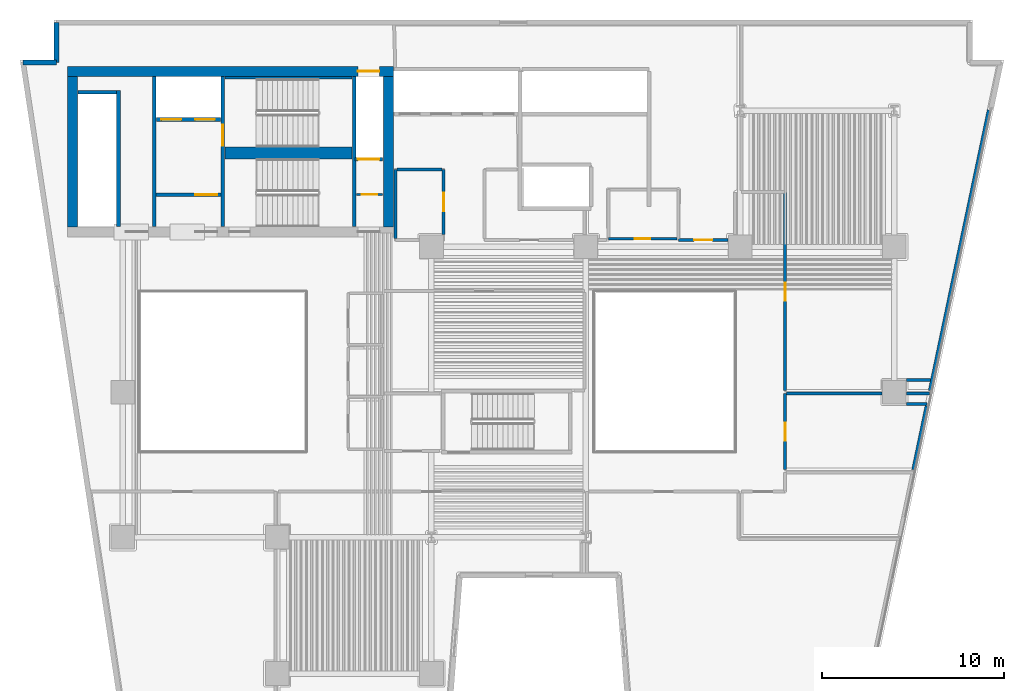
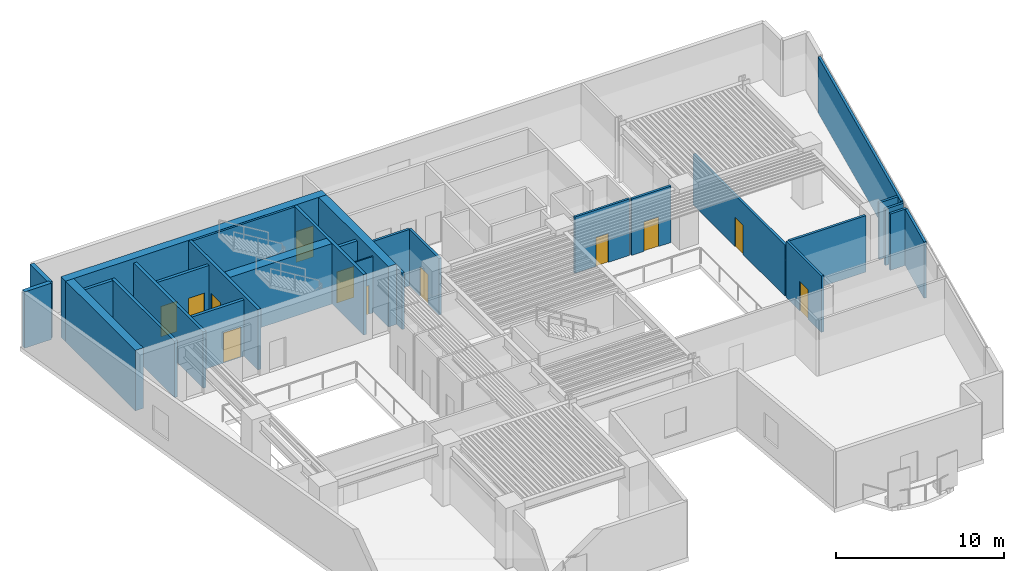
# One storey, part 5 of 12: 29 walls, 12 doors, 12 openings.
"""IFC4 building model written with IfcOpenShell, lengths in metres."""

from ifc_helpers import new_model, si_unit, direction, frame, frame_2d, origin, place, context, subcontext, project, spatial, rectangle, extrude, material, layer, layer_set, type_object, element, fill, save


model = new_model("IFC4")

# Units and contexts
model_context = context("Model", 3, precision=1e-05, world=origin(), true_north=direction((0.0, 1.0)))
body_context = subcontext(model_context, "Body", "Model", "MODEL_VIEW")
ifc_project = project(units=[si_unit("LENGTHUNIT", "METRE"), si_unit("AREAUNIT", "SQUARE_METRE"), si_unit("VOLUMEUNIT", "CUBIC_METRE"), si_unit("PLANEANGLEUNIT", "RADIAN"), si_unit("MASSUNIT", "GRAM", prefix="KILO")], contexts=[model_context])

# Site, building, storey
site_placement = place(None, origin())
site = spatial("IfcSite", under=ifc_project, at=site_placement, CompositionType="ELEMENT")
building_placement = place(site_placement, origin())
building = spatial("IfcBuilding", under=site, at=building_placement, Name="Caeloran Harvest Quay", CompositionType="ELEMENT")
storey_placement = place(building_placement, frame((0.0, 0.0, 35.800048828125)))
storey = spatial("IfcBuildingStorey", under=building, at=storey_placement, Name="L08", CompositionType="ELEMENT", Elevation=35.800048828125)

# Walls
ifc_material_1 = material(Name="Precast concrete C50/60", Category="concrete")
ifc_layer_1 = layer(ifc_material_1, 0.280029296875, Name="Precast concrete C50/60")
ifc_layer_set_1 = layer_set([ifc_layer_1], Name="Precast concrete C50/60")
wall_type_1 = type_object("IfcWallType", Name="ENV-WALL-EW-280", PredefinedType="STANDARD", material=ifc_layer_set_1)
wall_1_placement = place(storey_placement, frame((2.99755859375, 41.159912109375, 0.0), z_axis=(0.0, 0.0, 1.0), x_axis=(1.0, 0.0, 0.0)))
element("IfcWall", 1, at=wall_1_placement, inside=storey, type_object=wall_type_1, Name="L08 Exterior Precast Concrete Facade Wall 4", PredefinedType="STANDARD", context=body_context, shape_type="SweptSolid", body=[
    extrude(rectangle(XDim=1.842529296875, YDim=0.280029296875, at=frame_2d((0.92138671875, 0.0))), origin(), (0.0, 0.0, 1.0), 4.099853515625),
])
wall_2_placement = place(storey_placement, frame((4.840087890625, 41.159912109375, 0.0), z_axis=(0.0, 0.0, 1.0), x_axis=(0.0, 1.0, 0.0)))
element("IfcWall", 2, at=wall_2_placement, inside=storey, type_object=wall_type_1, Name="L08 Exterior Precast Concrete Facade Wall 5", PredefinedType="STANDARD", context=body_context, shape_type="SweptSolid", body=[
    extrude(rectangle(XDim=2.2001953125, YDim=0.280029296875, at=frame_2d((1.10009765625, 0.0))), origin(), (0.0, 0.0, 1.0), 4.099853515625),
])

# Wall, opening, door
ifc_material_2 = material(Name="Fire-Resisting Gypsum Core Riser Partition", Category="gypsum")
ifc_layer_2 = layer(ifc_material_2, 0.10009765625, Name="Fire-Resisting Gypsum Core Riser Partition")
ifc_layer_set_2 = layer_set([ifc_layer_2], Name="Fire-Resisting Gypsum Core Riser Partition")
wall_type_2 = type_object("IfcWallType", Name="INT-WALL-PW-100", PredefinedType="PARTITIONING", material=ifc_layer_set_2)
wall_3_placement = place(storey_placement, frame((21.3798828125, 33.889892578125, 0.0), z_axis=(0.0, 0.0, 1.0), x_axis=(1.0, 0.0, 0.0)))
wall_3 = element("IfcWall", 3, at=wall_3_placement, inside=storey, type_object=wall_type_2, Name="L08 Cleaner Store Partition Wall", PredefinedType="PARTITIONING", context=body_context, shape_type="SweptSolid", body=[
    extrude(rectangle(XDim=1.420166015625, YDim=0.10009765625, at=frame_2d((0.7099609375, 0.0))), origin(), (0.0, 0.0, 1.0), 4.099853515625),
])
opening_1_placement = place(wall_3_placement, frame((0.280029296875, 0.0, 0.0)))
opening_1 = element("IfcOpeningElement", 4, at=opening_1_placement, cuts=wall_3, Name="Opening SV-01", PredefinedType="OPENING", context=body_context, shape_type="SweptSolid", body=[
    extrude(rectangle(XDim=0.85009765625, YDim=2.10009765625, at=frame_2d((0.425048828125, 1.050048828125))), frame((0.0, 0.06005859375, 0.0), z_axis=(0.0, -1.0, 0.0), x_axis=(1.0, 0.0, 0.0)), (0.0, 0.0, 1.0), 0.1201171875),
])
ifc_material_3 = material(Name="Galvanized Painted Steel", Category="steel")
door_type_1 = type_object("IfcDoorType", Name="INTDOOR-SV-01", OperationType="NOTDEFINED", PredefinedType="DOOR", material=ifc_material_3)
door_1_placement = place(opening_1_placement, origin())
door_1 = element("IfcDoor", 5, at=door_1_placement, inside=storey, type_object=door_type_1, Name="L08 Cleaner Supply Store Access Door", OperationType="SINGLE_SWING_RIGHT", OverallHeight=2.10009765625, OverallWidth=0.85009765625, PredefinedType="DOOR", context=body_context, shape_type="SweptSolid", body=[
    extrude(rectangle(XDim=0.85009765625, YDim=2.10009765625, at=frame_2d((0.425048828125, 1.050048828125))), frame((0.0, 0.02490234375, 0.0), z_axis=(0.0, -1.0, 0.0), x_axis=(1.0, 0.0, 0.0)), (0.0, 0.0, 1.0), 0.050048828125),
])
fill(opening_1, door_1)

ifc_material_4 = material(Name="Autoclaved Aerated Concrete Blockwork and Plasterboard", Category="masonry")
ifc_layer_3 = layer(ifc_material_4, 0.14990234375, Name="Autoclaved Aerated Concrete Blockwork and Plasterboard")
ifc_layer_set_3 = layer_set([ifc_layer_3], Name="Autoclaved Aerated Concrete Blockwork and Plasterboard")
wall_type_3 = type_object("IfcWallType", Name="INT-WALL-PW-150", PredefinedType="PARTITIONING", material=ifc_layer_set_3)
wall_4_placement = place(storey_placement, frame((39.02001953125, 31.449951171875, 0.0), z_axis=(0.0, 0.0, 1.0), x_axis=(-1.0, 0.0, 0.0)))
wall_4 = element("IfcWall", 6, at=wall_4_placement, inside=storey, type_object=wall_type_3, Name="L08 Core Auxiliary Equipment Room Partition Wall", PredefinedType="PARTITIONING", context=body_context, shape_type="SweptSolid", body=[
    extrude(rectangle(XDim=3.77001953125, YDim=0.14990234375, at=frame_2d((1.885009765625, 0.0))), origin(), (0.0, 0.0, 1.0), 4.099853515625),
])
opening_2_placement = place(wall_4_placement, frame((1.4599609375, 0.0, 0.0)))
opening_2 = element("IfcOpeningElement", 7, at=opening_2_placement, cuts=wall_4, Name="Opening SV-01", PredefinedType="OPENING", context=body_context, shape_type="SweptSolid", body=[
    extrude(rectangle(XDim=0.85009765625, YDim=2.10009765625, at=frame_2d((0.425048828125, 1.050048828125))), frame((0.0, 0.0849609375, 0.0), z_axis=(0.0, -1.0, 0.0), x_axis=(1.0, 0.0, 0.0)), (0.0, 0.0, 1.0), 0.169921875),
])
door_2_placement = place(opening_2_placement, origin())
door_2 = element("IfcDoor", 8, at=door_2_placement, inside=storey, type_object=door_type_1, Name="L08 Core Auxiliary Equipment Room Access Door", OperationType="SINGLE_SWING_RIGHT", OverallHeight=2.10009765625, OverallWidth=0.85009765625, PredefinedType="DOOR", context=body_context, shape_type="SweptSolid", body=[
    extrude(rectangle(XDim=0.85009765625, YDim=2.10009765625, at=frame_2d((0.425048828125, 1.050048828125))), frame((0.0, 0.02490234375, 0.0), z_axis=(0.0, -1.0, 0.0), x_axis=(1.0, 0.0, 0.0)), (0.0, 0.0, 1.0), 0.050048828125),
])
fill(opening_2, door_2)

ifc_material_5 = material(Name="Autoclaved Aerated Concrete Blockwork", Category="masonry")
ifc_layer_4 = layer(ifc_material_5, 0.1650390625, Name="Autoclaved Aerated Concrete Blockwork")
ifc_layer_set_4 = layer_set([ifc_layer_4], Name="Autoclaved Aerated Concrete Blockwork")
wall_type_4 = type_object("IfcWallType", Name="INT-WALL-PW-165", PredefinedType="PARTITIONING", material=ifc_layer_set_4)
wall_5_placement = place(storey_placement, frame((44.97998046875, 18.72998046875, 0.0), z_axis=(0.0, 0.0, 1.0), x_axis=(0.0, 1.0, 0.0)))
wall_5 = element("IfcWall", 9, at=wall_5_placement, inside=storey, type_object=wall_type_4, Name="Harvest Cold Buffer Laboratory Partition Wall", PredefinedType="PARTITIONING", context=body_context, shape_type="SweptSolid", body=[
    extrude(rectangle(XDim=4.18994140625, YDim=0.1650390625, at=frame_2d((2.094970703125, 0.0))), origin(), (0.0, 0.0, 1.0), 4.099853515625),
])
opening_3_placement = place(wall_5_placement, frame((1.594970703125, 0.0, 0.0)))
opening_3 = element("IfcOpeningElement", 10, at=opening_3_placement, cuts=wall_5, Name="Opening ID-01", PredefinedType="OPENING", context=body_context, shape_type="SweptSolid", body=[
    extrude(rectangle(XDim=1.0, YDim=2.14990234375, at=frame_2d((0.5, 1.074951171875))), frame((0.0, 0.092529296875, 0.0), z_axis=(0.0, -1.0, 0.0), x_axis=(1.0, 0.0, 0.0)), (0.0, 0.0, 1.0), 0.18505859375),
])
ifc_material_6 = material(Name="FSC Solid-Core Ash Timber and Acoustic Seal", Category="wood")
door_type_2 = type_object("IfcDoorType", Name="INTDOOR-ID-01", OperationType="NOTDEFINED", PredefinedType="DOOR", material=ifc_material_6)
door_3_placement = place(opening_3_placement, origin())
door_3 = element("IfcDoor", 11, at=door_3_placement, inside=storey, type_object=door_type_2, Name="Harvest Cold Buffer Laboratory Access Door", OperationType="SINGLE_SWING_RIGHT", OverallHeight=2.14990234375, OverallWidth=1.0, PredefinedType="DOOR", context=body_context, shape_type="SweptSolid", body=[
    extrude(rectangle(XDim=1.0, YDim=2.14990234375, at=frame_2d((0.5, 1.074951171875))), frame((0.0, 0.02490234375, 0.0), z_axis=(0.0, -1.0, 0.0), x_axis=(1.0, 0.0, 0.0)), (0.0, 0.0, 1.0), 0.050048828125),
])
fill(opening_3, door_3)

# Walls
wall_6_placement = place(storey_placement, frame((45.0673828125, 22.919921875, 0.0), z_axis=(0.0, 0.0, 1.0), x_axis=(1.0, 0.0, 0.0)))
element("IfcWall", 12, at=wall_6_placement, inside=storey, type_object=wall_type_4, Name="Harvest Cold Buffer Laboratory Partition Wall", PredefinedType="PARTITIONING", context=body_context, shape_type="SweptSolid", body=[
    extrude(rectangle(XDim=5.257568359375, YDim=0.1650390625, at=frame_2d((2.62890625, 0.0))), origin(), (0.0, 0.0, 1.0), 4.099853515625),
])
wall_7_placement = place(storey_placement, frame((51.675048828125, 22.3349609375, 0.0), z_axis=(0.0, 0.0, 1.0), x_axis=(1.0, 0.0, 0.0)))
element("IfcWall", 13, at=wall_7_placement, inside=storey, type_object=wall_type_4, Name="Harvest Cold Buffer Laboratory Partition Wall", PredefinedType="PARTITIONING", context=body_context, shape_type="SweptSolid", body=[
    extrude(rectangle(XDim=1.12841796875, YDim=0.1650390625, at=frame_2d((0.564208984375, 0.0))), origin(), (0.0, 0.0, 1.0), 4.099853515625),
])
wall_8_placement = place(storey_placement, frame((51.675048828125, 22.919921875, 0.0), z_axis=(0.0, 0.0, 1.0), x_axis=(1.0, 0.0, 0.0)))
element("IfcWall", 14, at=wall_8_placement, inside=storey, type_object=wall_type_4, Name="Harvest Cold Buffer Laboratory Partition Wall", PredefinedType="PARTITIONING", context=body_context, shape_type="SweptSolid", body=[
    extrude(rectangle(XDim=1.25146484375, YDim=0.1650390625, at=frame_2d((0.625732421875, 0.0))), origin(), (0.0, 0.0, 1.0), 4.099853515625),
])
wall_9_placement = place(storey_placement, frame((52.769775390625, 22.24755859375, 0.0), z_axis=(0.0, 0.0, 1.0), x_axis=(-0.205538051866, -0.978649124679, 0.0)))
element("IfcWall", 15, at=wall_9_placement, inside=storey, type_object=wall_type_4, Name="Harvest Cold Buffer Laboratory Partition Wall", PredefinedType="PARTITIONING", context=body_context, shape_type="SweptSolid", body=[
    extrude(rectangle(XDim=3.59423828125, YDim=0.1650390625, at=frame_2d((1.797119140625, 0.0))), origin(), (0.0, 0.0, 1.0), 4.099853515625),
])

# Wall, opening, door
wall_10_placement = place(storey_placement, frame((26.169921875, 35.27001953125, 0.0), z_axis=(0.0, 0.0, 1.0), x_axis=(0.0, -1.0, 0.0)))
wall_10 = element("IfcWall", 16, at=wall_10_placement, inside=storey, type_object=wall_type_4, Name="Leafy-Greens Hydroponic Growing Hall 9 Partition Wall", PredefinedType="PARTITIONING", context=body_context, shape_type="SweptSolid", body=[
    extrude(rectangle(XDim=3.594970703125, YDim=0.1650390625, at=frame_2d((1.79736328125, 0.0))), origin(), (0.0, 0.0, 1.0), 4.099853515625),
])
opening_4_placement = place(wall_10_placement, frame((1.297607421875, 0.0, 0.0)))
opening_4 = element("IfcOpeningElement", 17, at=opening_4_placement, cuts=wall_10, Name="Opening ID-01", PredefinedType="OPENING", context=body_context, shape_type="SweptSolid", body=[
    extrude(rectangle(XDim=1.0, YDim=2.14990234375, at=frame_2d((0.5, 1.074951171875))), frame((0.0, 0.092529296875, 0.0), z_axis=(0.0, -1.0, 0.0), x_axis=(1.0, 0.0, 0.0)), (0.0, 0.0, 1.0), 0.18505859375),
])
door_4_placement = place(opening_4_placement, origin())
door_4 = element("IfcDoor", 18, at=door_4_placement, inside=storey, type_object=door_type_2, Name="Leafy-Greens Hydroponic Growing Hall 9 Access Door", OperationType="SINGLE_SWING_LEFT", OverallHeight=2.14990234375, OverallWidth=1.0, PredefinedType="DOOR", context=body_context, shape_type="SweptSolid", body=[
    extrude(rectangle(XDim=1.0, YDim=2.14990234375, at=frame_2d((0.5, 1.074951171875))), frame((0.0, 0.02490234375, 0.0), z_axis=(0.0, -1.0, 0.0), x_axis=(1.0, 0.0, 0.0)), (0.0, 0.0, 1.0), 0.050048828125),
])
fill(opening_4, door_4)

# Walls
wall_11_placement = place(storey_placement, frame((23.510009765625, 31.467529296875, 0.0), z_axis=(0.0, 0.0, 1.0), x_axis=(0.0, 1.0, 0.0)))
element("IfcWall", 19, at=wall_11_placement, inside=storey, type_object=wall_type_4, Name="Leafy-Greens Hydroponic Growing Hall 9 Partition Wall", PredefinedType="PARTITIONING", context=body_context, shape_type="SweptSolid", body=[
    extrude(rectangle(XDim=3.804443359375, YDim=0.1650390625, at=frame_2d((1.90234375, 0.0))), origin(), (0.0, 0.0, 1.0), 4.099853515625),
])
wall_12_placement = place(storey_placement, frame((23.597412109375, 35.27001953125, 0.0), z_axis=(0.0, 0.0, 1.0), x_axis=(1.0, 0.0, 0.0)))
element("IfcWall", 20, at=wall_12_placement, inside=storey, type_object=wall_type_4, Name="Leafy-Greens Hydroponic Growing Hall 9 Partition Wall", PredefinedType="PARTITIONING", context=body_context, shape_type="SweptSolid", body=[
    extrude(rectangle(XDim=2.485107421875, YDim=0.1650390625, at=frame_2d((1.24267578125, 0.0))), origin(), (0.0, 0.0, 1.0), 4.099853515625),
])
wall_13_placement = place(storey_placement, frame((56.1943359375, 38.547607421875, 0.0), z_axis=(0.0, 0.0, 1.0), x_axis=(-0.205583069276, -0.978639668942, 0.0)))
element("IfcWall", 21, at=wall_13_placement, inside=storey, type_object=wall_type_4, Name="Aeroponic Root-Mist Growing Chamber 10 Partition Wall", PredefinedType="PARTITIONING", context=body_context, shape_type="SweptSolid", body=[
    extrude(rectangle(XDim=15.80517578125, YDim=0.1650390625, at=frame_2d((7.902587890625, 0.0))), origin(), (0.0, 0.0, 1.0), 4.099853515625),
])
wall_14_placement = place(storey_placement, frame((52.978515625, 23.6650390625, 0.0), z_axis=(0.0, 0.0, 1.0), x_axis=(-1.0, 0.0, 0.0)))
element("IfcWall", 22, at=wall_14_placement, inside=storey, type_object=wall_type_4, Name="Aeroponic Root-Mist Growing Chamber 10 Partition Wall", PredefinedType="PARTITIONING", context=body_context, shape_type="SweptSolid", body=[
    extrude(rectangle(XDim=1.303466796875, YDim=0.1650390625, at=frame_2d((0.65185546875, 0.0))), origin(), (0.0, 0.0, 1.0), 4.099853515625),
])

# Wall, opening, door
wall_15_placement = place(storey_placement, frame((44.97998046875, 23.080078125, 0.0), z_axis=(0.0, 0.0, 1.0), x_axis=(0.0, 1.0, 0.0)))
wall_15 = element("IfcWall", 23, at=wall_15_placement, inside=storey, type_object=wall_type_4, Name="Aeroponic Root-Mist Growing Chamber 10 Partition Wall", PredefinedType="PARTITIONING", context=body_context, shape_type="SweptSolid", body=[
    extrude(rectangle(XDim=10.919921875, YDim=0.1650390625, at=frame_2d((5.4599609375, 0.0))), origin(), (0.0, 0.0, 1.0), 3.724853515625),
])
opening_5_placement = place(wall_15_placement, frame((4.9599609375, 0.0, 0.0)))
opening_5 = element("IfcOpeningElement", 24, at=opening_5_placement, cuts=wall_15, Name="Opening ID-01", PredefinedType="OPENING", context=body_context, shape_type="SweptSolid", body=[
    extrude(rectangle(XDim=1.0, YDim=2.14990234375, at=frame_2d((0.5, 1.074951171875))), frame((0.0, 0.092529296875, 0.0), z_axis=(0.0, -1.0, 0.0), x_axis=(1.0, 0.0, 0.0)), (0.0, 0.0, 1.0), 0.18505859375),
])
door_5_placement = place(opening_5_placement, origin())
door_5 = element("IfcDoor", 25, at=door_5_placement, inside=storey, type_object=door_type_2, Name="Aeroponic Root-Mist Growing Chamber 10 Access Door", OperationType="SINGLE_SWING_RIGHT", OverallHeight=2.14990234375, OverallWidth=1.0, PredefinedType="DOOR", context=body_context, shape_type="SweptSolid", body=[
    extrude(rectangle(XDim=1.0, YDim=2.14990234375, at=frame_2d((0.5, 1.074951171875))), frame((0.0, 0.02490234375, 0.0), z_axis=(0.0, -1.0, 0.0), x_axis=(1.0, 0.0, 0.0)), (0.0, 0.0, 1.0), 0.050048828125),
])
fill(opening_5, door_5)

wall_16_placement = place(storey_placement, frame((41.824951171875, 31.3798828125, 0.0), z_axis=(0.0, 0.0, 1.0), x_axis=(-1.0, 0.0, 0.0)))
wall_16 = element("IfcWall", 26, at=wall_16_placement, inside=storey, type_object=wall_type_4, Name="Seedling Nursery Room 11 Partition Wall", PredefinedType="PARTITIONING", context=body_context, shape_type="SweptSolid", body=[
    extrude(rectangle(XDim=2.71044921875, YDim=0.1650390625, at=frame_2d((1.355224609375, 0.0))), origin(), (0.0, 0.0, 1.0), 4.099853515625),
])
opening_6_placement = place(wall_16_placement, frame((0.855224609375, 0.0, 0.0)))
opening_6 = element("IfcOpeningElement", 27, at=opening_6_placement, cuts=wall_16, Name="Opening ID-01", PredefinedType="OPENING", context=body_context, shape_type="SweptSolid", body=[
    extrude(rectangle(XDim=1.0, YDim=2.14990234375, at=frame_2d((0.5, 1.074951171875))), frame((0.0, 0.092529296875, 0.0), z_axis=(0.0, -1.0, 0.0), x_axis=(1.0, 0.0, 0.0)), (0.0, 0.0, 1.0), 0.18505859375),
])
door_6_placement = place(opening_6_placement, origin())
door_6 = element("IfcDoor", 28, at=door_6_placement, inside=storey, type_object=door_type_2, Name="Seedling Nursery Room 11 Access Door", OperationType="SINGLE_SWING_LEFT", OverallHeight=2.14990234375, OverallWidth=1.0, PredefinedType="DOOR", context=body_context, shape_type="SweptSolid", body=[
    extrude(rectangle(XDim=1.0, YDim=2.14990234375, at=frame_2d((0.5, 1.074951171875))), frame((0.0, 0.02490234375, 0.0), z_axis=(0.0, -1.0, 0.0), x_axis=(1.0, 0.0, 0.0)), (0.0, 0.0, 1.0), 0.050048828125),
])
fill(opening_6, door_6)

# Walls
ifc_material_7 = material(Name="Concrete C50/60", Category="concrete")
ifc_layer_5 = layer(ifc_material_7, 0.199951171875, Name="Concrete C50/60")
ifc_layer_set_5 = layer_set([ifc_layer_5], Name="Concrete C50/60")
wall_type_5 = type_object("IfcWallType", Name="INT-WALL-SW-200", PredefinedType="PARTITIONING", material=ifc_layer_set_5)
wall_17_placement = place(storey_placement, frame((8.260009765625, 32.1201171875, 0.0), z_axis=(0.0, 0.0, 1.0), x_axis=(0.0, 1.0, 0.0)))
element("IfcWall", 29, at=wall_17_placement, inside=storey, type_object=wall_type_5, Name="L08 Bank 3 Lift Shaft Wall", PredefinedType="PARTITIONING", context=body_context, shape_type="SweptSolid", body=[
    extrude(rectangle(XDim=7.5, YDim=0.199951171875, at=frame_2d((3.75, 0.0))), origin(), (0.0, 0.0, 1.0), 4.099853515625),
])
wall_18_placement = place(storey_placement, frame((6.02001953125, 39.52001953125, 0.0), z_axis=(0.0, 0.0, 1.0), x_axis=(1.0, 0.0, 0.0)))
element("IfcWall", 30, at=wall_18_placement, inside=storey, type_object=wall_type_5, Name="L08 Bank 3 Lift Shaft North End Wall", PredefinedType="PARTITIONING", context=body_context, shape_type="SweptSolid", body=[
    extrude(rectangle(XDim=2.119873046875, YDim=0.199951171875, at=frame_2d((1.06005859375, 0.0))), origin(), (0.0, 0.0, 1.0), 4.099853515625),
])
wall_19_placement = place(storey_placement, frame((10.219970703125, 32.1201171875, 0.0), z_axis=(0.0, 0.0, 1.0), x_axis=(0.0, 1.0, 0.0)))
element("IfcWall", 31, at=wall_19_placement, inside=storey, type_object=wall_type_5, Name="L08 Core Lobby Compartment Wall", PredefinedType="PARTITIONING", context=body_context, shape_type="SweptSolid", body=[
    extrude(rectangle(XDim=8.259765625, YDim=0.199951171875, at=frame_2d((4.1298828125, 0.0))), origin(), (0.0, 0.0, 1.0), 4.099853515625),
])

# Wall, openings, doors
wall_20_placement = place(storey_placement, frame((10.340087890625, 38.02001953125, 0.0), z_axis=(0.0, 0.0, 1.0), x_axis=(1.0, 0.0, 0.0)))
wall_20 = element("IfcWall", 32, at=wall_20_placement, inside=storey, type_object=wall_type_5, Name="L08 Firefighting Lift Shaft Wall", PredefinedType="PARTITIONING", context=body_context, shape_type="SweptSolid", body=[
    extrude(rectangle(XDim=3.539794921875, YDim=0.199951171875, at=frame_2d((1.77001953125, 0.0))), origin(), (0.0, 0.0, 1.0), 4.099853515625),
])
opening_7_placement = place(wall_20_placement, frame((0.284912109375, 0.0, 0.0)))
opening_7 = element("IfcOpeningElement", 33, at=opening_7_placement, cuts=wall_20, Name="Opening LD-01", PredefinedType="OPENING", context=body_context, shape_type="SweptSolid", body=[
    extrude(rectangle(XDim=1.10009765625, YDim=2.199951171875, at=frame_2d((0.550048828125, 1.10009765625))), frame((0.0, 0.10986328125, 0.0), z_axis=(0.0, -1.0, 0.0), x_axis=(1.0, 0.0, 0.0)), (0.0, 0.0, 1.0), 0.219970703125),
])
opening_8_placement = place(wall_20_placement, frame((2.135009765625, 0.0, 0.0)))
opening_8 = element("IfcOpeningElement", 34, at=opening_8_placement, cuts=wall_20, Name="Opening LD-01", PredefinedType="OPENING", context=body_context, shape_type="SweptSolid", body=[
    extrude(rectangle(XDim=1.10009765625, YDim=2.199951171875, at=frame_2d((0.550048828125, 1.10009765625))), frame((0.0, 0.10986328125, 0.0), z_axis=(0.0, -1.0, 0.0), x_axis=(1.0, 0.0, 0.0)), (0.0, 0.0, 1.0), 0.219970703125),
])
ifc_material_8 = material(Name="Stainless Steel Grade 316", Category="steel")
door_type_3 = type_object("IfcDoorType", Name="INTDOOR-LD-01", OperationType="NOTDEFINED", PredefinedType="DOOR", material=ifc_material_8)
door_7_placement = place(opening_7_placement, origin())
door_7 = element("IfcDoor", 35, at=door_7_placement, inside=storey, type_object=door_type_3, Name="Lift FF-1 Sliding Landing Door (L08)", OperationType="DOUBLE_DOOR_SLIDING", OverallHeight=2.199951171875, OverallWidth=1.10009765625, PredefinedType="DOOR", context=body_context, shape_type="SweptSolid", body=[
    extrude(rectangle(XDim=1.10009765625, YDim=2.199951171875, at=frame_2d((0.550048828125, 1.10009765625))), frame((0.0, 0.02490234375, 0.0), z_axis=(0.0, -1.0, 0.0), x_axis=(1.0, 0.0, 0.0)), (0.0, 0.0, 1.0), 0.050048828125),
])
fill(opening_7, door_7)
door_8_placement = place(opening_8_placement, origin())
door_8 = element("IfcDoor", 36, at=door_8_placement, inside=storey, type_object=door_type_3, Name="Lift FF-2 Sliding Landing Door (L08)", OperationType="DOUBLE_DOOR_SLIDING", OverallHeight=2.199951171875, OverallWidth=1.10009765625, PredefinedType="DOOR", context=body_context, shape_type="SweptSolid", body=[
    extrude(rectangle(XDim=1.10009765625, YDim=2.199951171875, at=frame_2d((0.550048828125, 1.10009765625))), frame((0.0, 0.02490234375, 0.0), z_axis=(0.0, -1.0, 0.0), x_axis=(1.0, 0.0, 0.0)), (0.0, 0.0, 1.0), 0.050048828125),
])
fill(opening_8, door_8)

# Wall, opening, door
wall_21_placement = place(storey_placement, frame((10.340087890625, 33.8798828125, 0.0), z_axis=(0.0, 0.0, 1.0), x_axis=(1.0, 0.0, 0.0)))
wall_21 = element("IfcWall", 37, at=wall_21_placement, inside=storey, type_object=wall_type_5, Name="L08 Firefighting Lift Lobby Enclosure Wall", PredefinedType="PARTITIONING", context=body_context, shape_type="SweptSolid", body=[
    extrude(rectangle(XDim=3.559814453125, YDim=0.199951171875, at=frame_2d((1.77978515625, 0.0))), origin(), (0.0, 0.0, 1.0), 4.099853515625),
])
opening_9_placement = place(wall_21_placement, frame((2.14990234375, 0.0, 0.0)))
opening_9 = element("IfcOpeningElement", 38, at=opening_9_placement, cuts=wall_21, Name="Opening FD-01", PredefinedType="OPENING", context=body_context, shape_type="SweptSolid", body=[
    extrude(rectangle(XDim=1.199951171875, YDim=2.199951171875, at=frame_2d((0.60009765625, 1.10009765625))), frame((0.0, 0.10986328125, 0.0), z_axis=(0.0, -1.0, 0.0), x_axis=(1.0, 0.0, 0.0)), (0.0, 0.0, 1.0), 0.219970703125),
])
ifc_material_9 = material(Name="Steel", Category="steel")
door_type_4 = type_object("IfcDoorType", Name="INTDOOR-FD-01", OperationType="NOTDEFINED", PredefinedType="DOOR", material=ifc_material_9)
door_9_placement = place(opening_9_placement, origin())
door_9 = element("IfcDoor", 39, at=door_9_placement, inside=storey, type_object=door_type_4, Name="L08 Firefighting Lift Lobby Smoke-Seal Fire Door", OperationType="SINGLE_SWING_RIGHT", OverallHeight=2.199951171875, OverallWidth=1.199951171875, PredefinedType="DOOR", context=body_context, shape_type="SweptSolid", body=[
    extrude(rectangle(XDim=1.199951171875, YDim=2.199951171875, at=frame_2d((0.60009765625, 1.10009765625))), frame((0.0, 0.02490234375, 0.0), z_axis=(0.0, -1.0, 0.0), x_axis=(1.0, 0.0, 0.0)), (0.0, 0.0, 1.0), 0.050048828125),
])
fill(opening_9, door_9)

wall_22_placement = place(storey_placement, frame((21.300048828125, 35.820068359375, 0.0), z_axis=(0.0, 0.0, 1.0), x_axis=(1.0, 0.0, 0.0)))
wall_22 = element("IfcWall", 40, at=wall_22_placement, inside=storey, type_object=wall_type_5, Name="L08 Service Lift SV-2 Shaft Wall", PredefinedType="PARTITIONING", context=body_context, shape_type="SweptSolid", body=[
    extrude(rectangle(XDim=1.5, YDim=0.199951171875, at=frame_2d((0.75, 0.0))), origin(), (0.0, 0.0, 1.0), 4.099853515625),
])
opening_10_placement = place(wall_22_placement, frame((0.14501953125, 0.0, 0.0)))
opening_10 = element("IfcOpeningElement", 41, at=opening_10_placement, cuts=wall_22, Name="Opening LD-02", PredefinedType="OPENING", context=body_context, shape_type="SweptSolid", body=[
    extrude(rectangle(XDim=1.179931640625, YDim=2.25, at=frame_2d((0.58984375, 1.125))), frame((0.0, 0.10986328125, 0.0), z_axis=(0.0, -1.0, 0.0), x_axis=(1.0, 0.0, 0.0)), (0.0, 0.0, 1.0), 0.219970703125),
])
door_type_5 = type_object("IfcDoorType", Name="INTDOOR-LD-02", OperationType="NOTDEFINED", PredefinedType="DOOR", material=ifc_material_8)
door_10_placement = place(opening_10_placement, origin())
door_10 = element("IfcDoor", 42, at=door_10_placement, inside=storey, type_object=door_type_5, Name="Lift SV-2 Sliding Landing Door (L08)", OperationType="DOUBLE_DOOR_SLIDING", OverallHeight=2.25, OverallWidth=1.179931640625, PredefinedType="DOOR", context=body_context, shape_type="SweptSolid", body=[
    extrude(rectangle(XDim=1.179931640625, YDim=2.25, at=frame_2d((0.58984375, 1.125))), frame((0.0, 0.02490234375, 0.0), z_axis=(0.0, -1.0, 0.0), x_axis=(1.0, 0.0, 0.0)), (0.0, 0.0, 1.0), 0.050048828125),
])
fill(opening_10, door_10)

ifc_material_10 = material(Name="Concrete C80/95", Category="concrete")
ifc_layer_6 = layer(ifc_material_10, 0.550048828125, Name="Concrete C80/95")
ifc_layer_set_6 = layer_set([ifc_layer_6], Name="Concrete C80/95")
wall_type_6 = type_object("IfcWallType", Name="STR-WALL-CW-550", PredefinedType="SHEAR", material=ifc_layer_set_6)
wall_23_placement = place(storey_placement, frame((5.449951171875, 40.675048828125, 0.0), z_axis=(0.0, 0.0, 1.0), x_axis=(1.0, 0.0, 0.0)))
wall_23 = element("IfcWall", 43, at=wall_23_placement, inside=storey, type_object=wall_type_6, Name="L08 Rear Core Shear Wall N", PredefinedType="SHEAR", context=body_context, shape_type="SweptSolid", body=[
    extrude(rectangle(XDim=17.949951171875, YDim=0.550048828125, at=frame_2d((8.97509765625, 0.0))), origin(), (0.0, 0.0, 1.0), 4.39990234375),
])
opening_11_placement = place(wall_23_placement, frame((15.9951171875, 0.0, 0.0)))
opening_11 = element("IfcOpeningElement", 44, at=opening_11_placement, cuts=wall_23, Name="Opening LD-02", PredefinedType="OPENING", context=body_context, shape_type="SweptSolid", body=[
    extrude(rectangle(XDim=1.179931640625, YDim=2.25, at=frame_2d((0.58984375, 1.125))), frame((0.0, 0.28515625, 0.0), z_axis=(0.0, -1.0, 0.0), x_axis=(1.0, 0.0, 0.0)), (0.0, 0.0, 1.0), 0.570068359375),
])
door_11_placement = place(opening_11_placement, origin())
door_11 = element("IfcDoor", 45, at=door_11_placement, inside=storey, type_object=door_type_5, Name="Lift SV-1 Sliding Landing Door (L08)", OperationType="DOUBLE_DOOR_SLIDING", OverallHeight=2.25, OverallWidth=1.179931640625, PredefinedType="DOOR", context=body_context, shape_type="SweptSolid", body=[
    extrude(rectangle(XDim=1.179931640625, YDim=2.25, at=frame_2d((0.58984375, 1.125))), frame((0.0, 0.02490234375, 0.0), z_axis=(0.0, -1.0, 0.0), x_axis=(1.0, 0.0, 0.0)), (0.0, 0.0, 1.0), 0.050048828125),
])
fill(opening_11, door_11)

# Walls
for number, where, z_axis, x_axis, name in (
    (46, (5.72509765625, 32.10009765625, 0.0), (0.0, 0.0, 1.0), (0.0, 1.0, 0.0), "L08 Rear Core Shear Wall W"),
    (47, (23.125, 32.10009765625, 0.0), (0.0, 0.0, 1.0), (0.0, 1.0, 0.0), "L08 Rear Core Shear Wall E"),
):
    element("IfcWall", number, at=place(storey_placement, frame(where, z_axis=z_axis, x_axis=x_axis)), inside=storey, type_object=wall_type_6, Name=name, PredefinedType="SHEAR", context=body_context, shape_type="SweptSolid", body=[
        extrude(rectangle(XDim=8.2998046875, YDim=0.550048828125, at=frame_2d((4.14990234375, 0.0))), origin(), (0.0, 0.0, 1.0), 4.39990234375),
    ])
ifc_material_11 = material(Name="Concrete C60/75", Category="concrete")
ifc_layer_7 = layer(ifc_material_11, 0.64990234375, Name="Concrete C60/75")
ifc_layer_set_7 = layer_set([ifc_layer_7], Name="Concrete C60/75")
wall_type_7 = type_object("IfcWallType", Name="STR-WALL-CW-650", PredefinedType="SHEAR", material=ifc_layer_set_7)
wall_24_placement = place(storey_placement, frame((14.1201171875, 36.175048828125, 0.0), z_axis=(0.0, 0.0, 1.0), x_axis=(1.0, 0.0, 0.0)))
element("IfcWall", 48, at=wall_24_placement, inside=storey, type_object=wall_type_7, Name="L08 Core Stairs Dividing Shear Wall", PredefinedType="SHEAR", context=body_context, shape_type="SweptSolid", body=[
    extrude(rectangle(XDim=7.009765625, YDim=0.64990234375, at=frame_2d((3.5048828125, 0.0))), origin(), (0.0, 0.0, 1.0), 4.39990234375),
])
ifc_layer_8 = layer(ifc_material_11, 0.139892578125, Name="Concrete C60/75")
ifc_layer_set_8 = layer_set([ifc_layer_8], Name="Concrete C60/75")
wall_type_8 = type_object("IfcWallType", Name="STR-WALL-SW-140", PredefinedType="SHEAR", material=ifc_layer_set_8)
wall_25_placement = place(storey_placement, frame((14.1201171875, 40.320068359375, 0.0), z_axis=(0.0, 0.0, 1.0), x_axis=(1.0, 0.0, 0.0)))
element("IfcWall", 49, at=wall_25_placement, inside=storey, type_object=wall_type_8, Name="L08 Core Stair ST-C1 North Bearing Shear Wall", PredefinedType="SHEAR", context=body_context, shape_type="SweptSolid", body=[
    extrude(rectangle(XDim=7.009765625, YDim=0.139892578125, at=frame_2d((3.5048828125, 0.0))), origin(), (0.0, 0.0, 1.0), 4.39990234375),
])

# Wall, opening, door
ifc_layer_9 = layer(ifc_material_11, 0.199951171875, Name="Concrete C60/75")
ifc_layer_set_9 = layer_set([ifc_layer_9], Name="Concrete C60/75")
wall_type_9 = type_object("IfcWallType", Name="STR-WALL-SW-200", PredefinedType="SHEAR", material=ifc_layer_set_9)
wall_26_placement = place(storey_placement, frame((14.0, 32.1201171875, 0.0), z_axis=(0.0, 0.0, 1.0), x_axis=(0.0, 1.0, 0.0)))
wall_26 = element("IfcWall", 50, at=wall_26_placement, inside=storey, type_object=wall_type_9, Name="L08 Core Stair Shaft West Shear Wall", PredefinedType="SHEAR", context=body_context, shape_type="SweptSolid", body=[
    extrude(rectangle(XDim=8.259765625, YDim=0.199951171875, at=frame_2d((4.1298828125, 0.0))), origin(), (0.0, 0.0, 1.0), 4.39990234375),
])
opening_12_placement = place(wall_26_placement, frame((4.4599609375, 0.0, 0.0)))
opening_12 = element("IfcOpeningElement", 51, at=opening_12_placement, cuts=wall_26, Name="Opening SD-01", PredefinedType="OPENING", context=body_context, shape_type="SweptSolid", body=[
    extrude(rectangle(XDim=1.14990234375, YDim=2.199951171875, at=frame_2d((0.574951171875, 1.10009765625))), frame((0.0, 0.10986328125, 0.0), z_axis=(0.0, -1.0, 0.0), x_axis=(1.0, 0.0, 0.0)), (0.0, 0.0, 1.0), 0.219970703125),
])
door_type_6 = type_object("IfcDoorType", Name="INTDOOR-SD-01", OperationType="NOTDEFINED", PredefinedType="DOOR", material=ifc_material_9)
door_12_placement = place(opening_12_placement, origin())
door_12 = element("IfcDoor", 52, at=door_12_placement, inside=storey, type_object=door_type_6, Name="L08 Protected Stair ST-C1 Exit Door", OperationType="SINGLE_SWING_LEFT", OverallHeight=2.199951171875, OverallWidth=1.14990234375, PredefinedType="DOOR", context=body_context, shape_type="SweptSolid", body=[
    extrude(rectangle(XDim=1.14990234375, YDim=2.199951171875, at=frame_2d((0.574951171875, 1.10009765625))), frame((0.0, 0.02490234375, 0.0), z_axis=(0.0, -1.0, 0.0), x_axis=(1.0, 0.0, 0.0)), (0.0, 0.0, 1.0), 0.050048828125),
])
fill(opening_12, door_12)

# Wall
wall_27_placement = place(storey_placement, frame((21.25, 32.1201171875, 0.0), z_axis=(0.0, 0.0, 1.0), x_axis=(0.0, 1.0, 0.0)))
element("IfcWall", 53, at=wall_27_placement, inside=storey, type_object=wall_type_9, Name="L08 Core Stair Shaft East Shear Wall", PredefinedType="SHEAR", context=body_context, shape_type="SweptSolid", body=[
    extrude(rectangle(XDim=8.259765625, YDim=0.199951171875, at=frame_2d((4.1298828125, 0.0))), origin(), (0.0, 0.0, 1.0), 4.39990234375),
])

save(model, "model.ifc")
